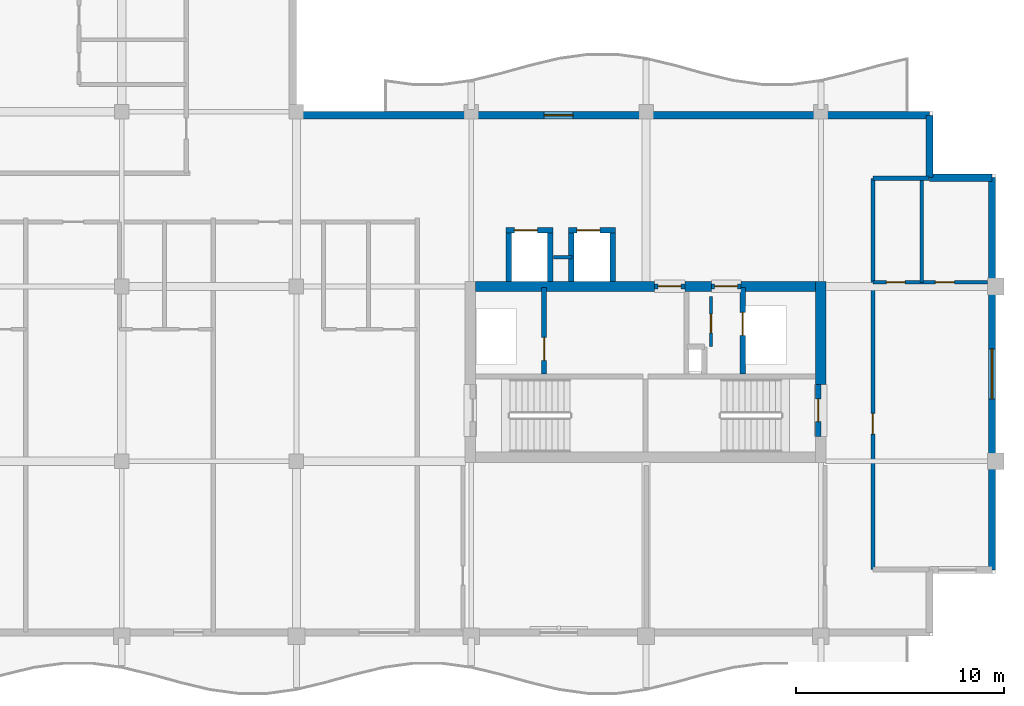
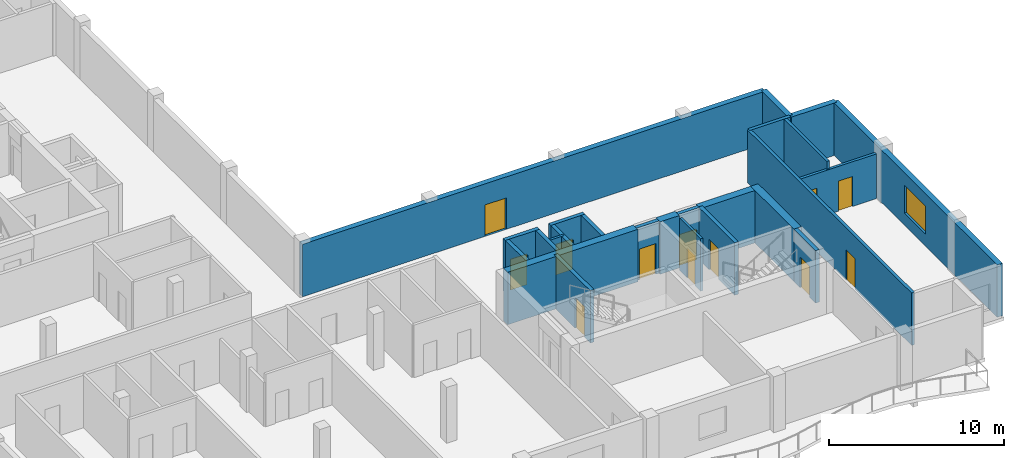
# One storey, part 4 of 10: 25 walls, 12 doors, 1 window, 13 openings.
"""IFC4 building model written with IfcOpenShell, lengths in metres."""

from ifc_helpers import new_model, si_unit, direction, frame, frame_2d, origin, place, context, subcontext, project, spatial, rectangle, extrude, material, layer, layer_set, type_object, element, fill, save


model = new_model("IFC4")

# Units and contexts
model_context = context("Model", 3, precision=1e-05, world=origin(), true_north=direction((0.0, 1.0)))
body_context = subcontext(model_context, "Body", "Model", "MODEL_VIEW")
ifc_project = project(units=[si_unit("LENGTHUNIT", "METRE"), si_unit("AREAUNIT", "SQUARE_METRE"), si_unit("VOLUMEUNIT", "CUBIC_METRE"), si_unit("PLANEANGLEUNIT", "RADIAN"), si_unit("MASSUNIT", "GRAM", prefix="KILO")], contexts=[model_context])

# Site, building, storey
site_placement = place(None, origin())
site = spatial("IfcSite", under=ifc_project, at=site_placement, CompositionType="ELEMENT")
building_placement = place(site_placement, origin())
building = spatial("IfcBuilding", under=site, at=building_placement, Name="Koriwani Terraces Tower", CompositionType="ELEMENT")
storey_placement = place(building_placement, frame((0.0, 0.0, 304.699951171875)))
storey = spatial("IfcBuildingStorey", under=building, at=storey_placement, Name="L75", CompositionType="ELEMENT", Elevation=304.699951171875)

# Walls
ifc_material_1 = material(Name="Concrete C50/60", Category="concrete")
ifc_layer_1 = layer(ifc_material_1, 0.5, Name="Concrete C50/60")
ifc_layer_set_1 = layer_set([ifc_layer_1], Name="Concrete C50/60")
wall_type_1 = type_object("IfcWallType", Name="WALL_CORE_RC_500", PredefinedType="SHEAR", material=ifc_layer_set_1)
wall_1_placement = place(storey_placement, frame((58.800048828125, 20.5, 0.0), z_axis=(0.0, 0.0, 1.0), x_axis=(0.0, 1.0, 0.0)))
element("IfcWall", 1, at=wall_1_placement, inside=storey, type_object=wall_type_1, Name="L75 East Split Core Shear Wall E2", PredefinedType="SHEAR", context=body_context, shape_type="SweptSolid", body=[
    extrude(rectangle(XDim=4.949951171875, YDim=0.5, at=frame_2d((2.47509765625, 0.0))), origin(), (0.0, 0.0, 1.0), 3.670166015625),
])
wall_2_placement = place(storey_placement, frame((42.199951171875, 25.199951171875, 0.0), z_axis=(0.0, 0.0, 1.0), x_axis=(1.0, 0.0, 0.0)))
element("IfcWall", 2, at=wall_2_placement, inside=storey, type_object=wall_type_1, Name="L75 East Split Core Shear Wall N1", PredefinedType="SHEAR", context=body_context, shape_type="SweptSolid", body=[
    extrude(rectangle(XDim=8.60009765625, YDim=0.5, at=frame_2d((4.300048828125, 0.0))), origin(), (0.0, 0.0, 1.0), 3.670166015625),
])
wall_3_placement = place(storey_placement, frame((52.280029296875, 25.199951171875, 0.0), z_axis=(0.0, 0.0, 1.0), x_axis=(1.0, 0.0, 0.0)))
element("IfcWall", 3, at=wall_3_placement, inside=storey, type_object=wall_type_1, Name="L75 East Split Core Shear Wall N2", PredefinedType="SHEAR", context=body_context, shape_type="SweptSolid", body=[
    extrude(rectangle(XDim=1.27001953125, YDim=0.5, at=frame_2d((0.635009765625, 0.0))), origin(), (0.0, 0.0, 1.0), 3.670166015625),
])
wall_4_placement = place(storey_placement, frame((54.949951171875, 25.199951171875, 0.0), z_axis=(0.0, 0.0, 1.0), x_axis=(1.0, 0.0, 0.0)))
element("IfcWall", 4, at=wall_4_placement, inside=storey, type_object=wall_type_1, Name="L75 East Split Core Shear Wall N3", PredefinedType="SHEAR", context=body_context, shape_type="SweptSolid", body=[
    extrude(rectangle(XDim=3.60009765625, YDim=0.5, at=frame_2d((1.800048828125, 0.0))), origin(), (0.0, 0.0, 1.0), 3.670166015625),
])

# Wall, opening, door
ifc_material_2 = material(Name="Autoclaved Cellular Concrete Blockwork", Category="masonry")
ifc_layer_2 = layer(ifc_material_2, 0.199951171875, Name="Autoclaved Cellular Concrete Blockwork")
ifc_layer_set_2 = layer_set([ifc_layer_2], Name="Autoclaved Cellular Concrete Blockwork")
wall_type_2 = type_object("IfcWallType", Name="WALL_CORRIDOR_200", PredefinedType="PARTITIONING", material=ifc_layer_set_2)
wall_5_placement = place(storey_placement, frame((61.300048828125, 11.60009765625, 0.0), z_axis=(0.0, 0.0, 1.0), x_axis=(0.0, 1.0, 0.0)))
wall_5 = element("IfcWall", 5, at=wall_5_placement, inside=storey, type_object=wall_type_2, Name="L75 Interior Wall WET-W-L75", PredefinedType="PARTITIONING", context=body_context, shape_type="SweptSolid", body=[
    extrude(rectangle(XDim=18.7998046875, YDim=0.199951171875, at=frame_2d((9.39990234375, 0.0))), origin(), (0.0, 0.0, 1.0), 3.670166015625),
])
opening_1_placement = place(wall_5_placement, frame((6.5, 0.0, 0.0)))
opening_1 = element("IfcOpeningElement", 6, at=opening_1_placement, cuts=wall_5, Name="Opening D-05", PredefinedType="OPENING", context=body_context, shape_type="SweptSolid", body=[
    extrude(rectangle(XDim=1.0, YDim=2.14990234375, at=frame_2d((0.5, 1.074951171875))), frame((0.0, 0.10986328125, 0.0), z_axis=(0.0, -1.0, 0.0), x_axis=(1.0, 0.0, 0.0)), (0.0, 0.0, 1.0), 0.219970703125),
])
ifc_material_3 = material(Name="Architectural Oak Fire Door", Category="wood")
door_type_1 = type_object("IfcDoorType", Name="DOOR_SUITE_ENTRY_1000X2150", OperationType="NOTDEFINED", PredefinedType="DOOR", material=ifc_material_3)
door_1_placement = place(opening_1_placement, origin())
door_1 = element("IfcDoor", 7, at=door_1_placement, inside=storey, type_object=door_type_1, Name="Apartment 75ET Entrance Door", OperationType="SINGLE_SWING_LEFT", OverallHeight=2.14990234375, OverallWidth=1.0, PredefinedType="DOOR", context=body_context, shape_type="SweptSolid", body=[
    extrude(rectangle(XDim=1.0, YDim=2.14990234375, at=frame_2d((0.5, 1.074951171875))), frame((0.0, 0.02490234375, 0.0), z_axis=(0.0, -1.0, 0.0), x_axis=(1.0, 0.0, 0.0)), (0.0, 0.0, 1.0), 0.050048828125),
])
fill(opening_1, door_1)

# Wall
ifc_layer_3 = layer(ifc_material_2, 0.219970703125, Name="Autoclaved Cellular Concrete Blockwork")
ifc_layer_set_3 = layer_set([ifc_layer_3], Name="Autoclaved Cellular Concrete Blockwork")
wall_type_3 = type_object("IfcWallType", Name="WALL_DEMISING_220", PredefinedType="PARTITIONING", material=ifc_layer_set_3)
wall_6_placement = place(storey_placement, frame((61.300048828125, 30.39990234375, 0.0), z_axis=(0.0, 0.0, 1.0), x_axis=(1.0, 0.0, 0.0)))
element("IfcWall", 8, at=wall_6_placement, inside=storey, type_object=wall_type_3, Name="L75 Interior Wall WET-N-L75", PredefinedType="PARTITIONING", context=body_context, shape_type="SweptSolid", body=[
    extrude(rectangle(XDim=2.699951171875, YDim=0.219970703125, at=frame_2d((1.35009765625, 0.0))), origin(), (0.0, 0.0, 1.0), 3.670166015625),
])

# Wall, opening, door
ifc_layer_4 = layer(ifc_material_1, 0.35009765625, Name="Concrete C50/60")
ifc_layer_set_4 = layer_set([ifc_layer_4], Name="Concrete C50/60")
wall_type_4 = type_object("IfcWallType", Name="WALL_EXT_BRUTALIST_350", PredefinedType="STANDARD", material=ifc_layer_set_4)
wall_7_placement = place(storey_placement, frame((33.425048828125, 33.425048828125, 0.0), z_axis=(0.0, 0.0, 1.0), x_axis=(1.0, 0.0, 0.0)))
wall_7 = element("IfcWall", 9, at=wall_7_placement, inside=storey, type_object=wall_type_4, Name="L75 Fair-Faced Brutalist Exterior Wall (NE)", PredefinedType="STANDARD", context=body_context, shape_type="SweptSolid", body=[
    extrude(rectangle(XDim=30.599853515625, YDim=0.35009765625, at=frame_2d((15.2998046875, 0.0))), origin(), (0.0, 0.0, 1.0), 3.670166015625),
])
opening_2_placement = place(wall_7_placement, frame((12.074951171875, 0.0, 0.0)))
opening_2 = element("IfcOpeningElement", 10, at=opening_2_placement, cuts=wall_7, Name="Opening D-09", PredefinedType="OPENING", context=body_context, shape_type="SweptSolid", body=[
    extrude(rectangle(XDim=1.39990234375, YDim=2.199951171875, at=frame_2d((0.699951171875, 1.10009765625))), frame((0.0, 0.18505859375, 0.0), z_axis=(0.0, -1.0, 0.0), x_axis=(1.0, 0.0, 0.0)), (0.0, 0.0, 1.0), 0.3701171875),
])
ifc_material_4 = material(Name="Anodised Bronze Aluminium", Category="aluminium")
door_type_2 = type_object("IfcDoorType", Name="DOOR_BALCONY_GLAZED_1400X2200", OperationType="NOTDEFINED", PredefinedType="DOOR", material=ifc_material_4)
door_2_placement = place(opening_2_placement, origin())
door_2 = element("IfcDoor", 11, at=door_2_placement, inside=storey, type_object=door_type_2, Name="L75 Inner Court Balcony Glazed Door", OperationType="SINGLE_SWING_LEFT", OverallHeight=2.199951171875, OverallWidth=1.39990234375, PredefinedType="DOOR", context=body_context, shape_type="SweptSolid", body=[
    extrude(rectangle(XDim=1.39990234375, YDim=2.199951171875, at=frame_2d((0.699951171875, 1.10009765625))), frame((0.0, 0.02490234375, 0.0), z_axis=(0.0, -1.0, 0.0), x_axis=(1.0, 0.0, 0.0)), (0.0, 0.0, 1.0), 0.050048828125),
])
fill(opening_2, door_2)

# Walls
for number, where, z_axis, x_axis, name in (
    (12, (64.02490234375, 33.425048828125, 0.0), (0.0, 0.0, 1.0), (0.0, -1.0, 0.0), "L75 Fair-Faced Brutalist Exterior Wall (N10)"),
    (13, (64.02490234375, 30.425048828125, 0.0), (0.0, 0.0, 1.0), (1.0, 0.0, 0.0), "L75 Fair-Faced Brutalist Exterior Wall (N11)"),
):
    element("IfcWall", number, at=place(storey_placement, frame(where, z_axis=z_axis, x_axis=x_axis)), inside=storey, type_object=wall_type_4, Name=name, PredefinedType="STANDARD", context=body_context, shape_type="SweptSolid", body=[
        extrude(rectangle(XDim=3.0, YDim=0.35009765625, at=frame_2d((1.5, 0.0))), origin(), (0.0, 0.0, 1.0), 3.670166015625),
    ])

# Wall, opening, window
wall_8_placement = place(storey_placement, frame((67.02490234375, 30.425048828125, 0.0), z_axis=(0.0, 0.0, 1.0), x_axis=(0.0, -1.0, 0.0)))
wall_8 = element("IfcWall", 14, at=wall_8_placement, inside=storey, type_object=wall_type_4, Name="L75 Fair-Faced Brutalist Exterior Wall (E_TIP)", PredefinedType="STANDARD", context=body_context, shape_type="SweptSolid", body=[
    extrude(rectangle(XDim=18.85009765625, YDim=0.35009765625, at=frame_2d((9.425048828125, 0.0))), origin(), (0.0, 0.0, 1.0), 3.670166015625),
])
opening_3_placement = place(wall_8_placement, frame((8.22509765625, 0.0, 0.85009765625)))
opening_3 = element("IfcOpeningElement", 15, at=opening_3_placement, cuts=wall_8, Name="Opening W-03", PredefinedType="OPENING", context=body_context, shape_type="SweptSolid", body=[
    extrude(rectangle(XDim=2.39990234375, YDim=1.949951171875, at=frame_2d((1.199951171875, 0.97509765625))), frame((0.0, 0.18505859375, 0.0), z_axis=(0.0, -1.0, 0.0), x_axis=(1.0, 0.0, 0.0)), (0.0, 0.0, 1.0), 0.3701171875),
])
ifc_material_5 = material(Name="Tempered Laminated Low-E Glass", Category="glass")
window_type = type_object("IfcWindowType", Name="WIN_RES_LIVING_2400X1950", PartitioningType="DOUBLE_PANEL_VERTICAL", PredefinedType="WINDOW", material=ifc_material_5)
window_placement = place(opening_3_placement, origin())
window = element("IfcWindow", 16, at=window_placement, inside=storey, type_object=window_type, Name="L75 Exterior Window (E_TIP-3)", OverallHeight=1.949951171875, OverallWidth=2.39990234375, PartitioningType="SINGLE_PANEL", PredefinedType="WINDOW", context=body_context, shape_type="SweptSolid", body=[
    extrude(rectangle(XDim=2.39990234375, YDim=1.949951171875, at=frame_2d((1.199951171875, 0.97509765625))), frame((0.0, 0.030029296875, 0.0), z_axis=(0.0, -1.0, 0.0), x_axis=(1.0, 0.0, 0.0)), (0.0, 0.0, 1.0), 0.06005859375),
])
fill(opening_3, window)

# Wall, openings, doors
ifc_material_6 = material(Name="Fire-Rated Acoustic Gypsum Partition", Category="masonry")
ifc_layer_5 = layer(ifc_material_6, 0.179931640625, Name="Fire-Rated Acoustic Gypsum Partition")
ifc_layer_set_5 = layer_set([ifc_layer_5], Name="Fire-Rated Acoustic Gypsum Partition")
wall_type_5 = type_object("IfcWallType", Name="WALL_PLUMBING_180", PredefinedType="PLUMBINGWALL", material=ifc_layer_set_5)
wall_9_placement = place(storey_placement, frame((61.300048828125, 25.39990234375, 0.0), z_axis=(0.0, 0.0, 1.0), x_axis=(1.0, 0.0, 0.0)))
wall_9 = element("IfcWall", 17, at=wall_9_placement, inside=storey, type_object=wall_type_5, Name="L75 Interior Wall WET-SVB-L75", PredefinedType="PLUMBINGWALL", context=body_context, shape_type="SweptSolid", body=[
    extrude(rectangle(XDim=5.5, YDim=0.179931640625, at=frame_2d((2.75, 0.0))), origin(), (0.0, 0.0, 1.0), 3.126953125),
])
opening_4_placement = place(wall_9_placement, frame((0.64990234375, 0.0, 0.0)))
opening_4 = element("IfcOpeningElement", 18, at=opening_4_placement, cuts=wall_9, Name="Opening D-07", PredefinedType="OPENING", context=body_context, shape_type="SweptSolid", body=[
    extrude(rectangle(XDim=0.89990234375, YDim=2.10009765625, at=frame_2d((0.449951171875, 1.050048828125))), frame((0.0, 0.10009765625, 0.0), z_axis=(0.0, -1.0, 0.0), x_axis=(1.0, 0.0, 0.0)), (0.0, 0.0, 1.0), 0.199951171875),
])
opening_5_placement = place(wall_9_placement, frame((3.0, 0.0, 0.0)))
opening_5 = element("IfcOpeningElement", 19, at=opening_5_placement, cuts=wall_9, Name="Opening D-06", PredefinedType="OPENING", context=body_context, shape_type="SweptSolid", body=[
    extrude(rectangle(XDim=0.919921875, YDim=2.10009765625, at=frame_2d((0.4599609375, 1.050048828125))), frame((0.0, 0.10009765625, 0.0), z_axis=(0.0, -1.0, 0.0), x_axis=(1.0, 0.0, 0.0)), (0.0, 0.0, 1.0), 0.199951171875),
])
door_type_3 = type_object("IfcDoorType", Name="DOOR_BATH_INT_900X2100", OperationType="NOTDEFINED", PredefinedType="DOOR", material=ifc_material_3)
door_3_placement = place(opening_4_placement, origin())
door_3 = element("IfcDoor", 20, at=door_3_placement, inside=storey, type_object=door_type_3, Name="Apartment 75ET Bathroom Door", OperationType="SINGLE_SWING_RIGHT", OverallHeight=2.10009765625, OverallWidth=0.89990234375, PredefinedType="DOOR", context=body_context, shape_type="SweptSolid", body=[
    extrude(rectangle(XDim=0.89990234375, YDim=2.10009765625, at=frame_2d((0.449951171875, 1.050048828125))), frame((0.0, 0.02490234375, 0.0), z_axis=(0.0, -1.0, 0.0), x_axis=(1.0, 0.0, 0.0)), (0.0, 0.0, 1.0), 0.050048828125),
])
fill(opening_4, door_3)
door_type_4 = type_object("IfcDoorType", Name="DOOR_ROOM_INT_920X2100", OperationType="NOTDEFINED", PredefinedType="DOOR", material=ifc_material_3)
door_4_placement = place(opening_5_placement, origin())
door_4 = element("IfcDoor", 21, at=door_4_placement, inside=storey, type_object=door_type_4, Name="Apartment 75ET Kitchen Door", OperationType="SINGLE_SWING_LEFT", OverallHeight=2.10009765625, OverallWidth=0.919921875, PredefinedType="DOOR", context=body_context, shape_type="SweptSolid", body=[
    extrude(rectangle(XDim=0.919921875, YDim=2.10009765625, at=frame_2d((0.4599609375, 1.050048828125))), frame((0.0, 0.02490234375, 0.0), z_axis=(0.0, -1.0, 0.0), x_axis=(1.0, 0.0, 0.0)), (0.0, 0.0, 1.0), 0.050048828125),
])
fill(opening_5, door_4)

# Wall
wall_10_placement = place(storey_placement, frame((63.64990234375, 25.39990234375, 0.0), z_axis=(0.0, 0.0, 1.0), x_axis=(0.0, 1.0, 0.0)))
element("IfcWall", 22, at=wall_10_placement, inside=storey, type_object=wall_type_5, Name="L75 Interior Wall WET-SVCM-L75", PredefinedType="PLUMBINGWALL", context=body_context, shape_type="SweptSolid", body=[
    extrude(rectangle(XDim=5.0, YDim=0.179931640625, at=frame_2d((2.5, 0.0))), origin(), (0.0, 0.0, 1.0), 3.670166015625),
])

# Wall, opening, door
ifc_material_7 = material(Name="Concrete C40/50", Category="concrete")
ifc_layer_6 = layer(ifc_material_7, 0.25, Name="Concrete C40/50")
ifc_layer_set_6 = layer_set([ifc_layer_6], Name="Concrete C40/50")
wall_type_6 = type_object("IfcWallType", Name="WALL_SHAFT_RATED_250", PredefinedType="SOLIDWALL", material=ifc_layer_set_6)
wall_11_placement = place(storey_placement, frame((58.675048828125, 18.0, 0.0), z_axis=(0.0, 0.0, 1.0), x_axis=(0.0, 1.0, 0.0)))
wall_11 = element("IfcWall", 23, at=wall_11_placement, inside=storey, type_object=wall_type_6, Name="L75 Interior Wall WIN-CE-L75-STE", PredefinedType="SOLIDWALL", context=body_context, shape_type="SweptSolid", body=[
    extrude(rectangle(XDim=2.5, YDim=0.25, at=frame_2d((1.25, 0.0))), origin(), (0.0, 0.0, 1.0), 3.670166015625),
])
opening_6_placement = place(wall_11_placement, frame((0.699951171875, 0.0, 0.0)))
opening_6 = element("IfcOpeningElement", 24, at=opening_6_placement, cuts=wall_11, Name="Opening D-03", PredefinedType="OPENING", context=body_context, shape_type="SweptSolid", body=[
    extrude(rectangle(XDim=1.10009765625, YDim=2.14990234375, at=frame_2d((0.550048828125, 1.074951171875))), frame((0.0, 0.135009765625, 0.0), z_axis=(0.0, -1.0, 0.0), x_axis=(1.0, 0.0, 0.0)), (0.0, 0.0, 1.0), 0.27001953125),
])
ifc_material_8 = material(Name="Steel ASTM A572 Grade 50", Category="steel")
door_type_5 = type_object("IfcDoorType", Name="DOOR_STAIR_FIRE_1100X2150", OperationType="NOTDEFINED", PredefinedType="DOOR", material=ifc_material_8)
door_5_placement = place(opening_6_placement, origin())
door_5 = element("IfcDoor", 25, at=door_5_placement, inside=storey, type_object=door_type_5, Name="L75 Exit Stair ST-E2 Door", OperationType="SINGLE_SWING_LEFT", OverallHeight=2.14990234375, OverallWidth=1.10009765625, PredefinedType="DOOR", context=body_context, shape_type="SweptSolid", body=[
    extrude(rectangle(XDim=1.10009765625, YDim=2.14990234375, at=frame_2d((0.550048828125, 1.074951171875))), frame((0.0, 0.02490234375, 0.0), z_axis=(0.0, -1.0, 0.0), x_axis=(1.0, 0.0, 0.0)), (0.0, 0.0, 1.0), 0.050048828125),
])
fill(opening_6, door_5)

wall_12_placement = place(storey_placement, frame((45.5, 21.0, 0.0), z_axis=(0.0, 0.0, 1.0), x_axis=(0.0, 1.0, 0.0)))
wall_12 = element("IfcWall", 26, at=wall_12_placement, inside=storey, type_object=wall_type_6, Name="L75 Interior Wall WIN-CE-L75-FE", PredefinedType="SOLIDWALL", context=body_context, shape_type="SweptSolid", body=[
    extrude(rectangle(XDim=4.14990234375, YDim=0.25, at=frame_2d((2.074951171875, 0.0))), origin(), (0.0, 0.0, 1.0), 3.670166015625),
])
opening_7_placement = place(wall_12_placement, frame((0.64990234375, 0.0, 0.0)))
opening_7 = element("IfcOpeningElement", 27, at=opening_7_placement, cuts=wall_12, Name="Opening LD-01", PredefinedType="OPENING", context=body_context, shape_type="SweptSolid", body=[
    extrude(rectangle(XDim=1.10009765625, YDim=2.14990234375, at=frame_2d((0.550048828125, 1.074951171875))), frame((0.0, 0.135009765625, 0.0), z_axis=(0.0, -1.0, 0.0), x_axis=(1.0, 0.0, 0.0)), (0.0, 0.0, 1.0), 0.27001953125),
])
door_type_6 = type_object("IfcDoorType", Name="DOOR_LIFT_LANDING_1100X2200", OperationType="NOTDEFINED", PredefinedType="DOOR", material=ifc_material_8)
door_6_placement = place(opening_7_placement, origin())
door_6 = element("IfcDoor", 28, at=door_6_placement, inside=storey, type_object=door_type_6, Name="L75 Firefighting Lift FE-02 Landing Door", OperationType="SLIDING_TO_LEFT", OverallHeight=2.14990234375, OverallWidth=1.10009765625, PredefinedType="DOOR", context=body_context, shape_type="SweptSolid", body=[
    extrude(rectangle(XDim=1.10009765625, YDim=2.14990234375, at=frame_2d((0.550048828125, 1.074951171875))), frame((0.0, 0.02490234375, 0.0), z_axis=(0.0, -1.0, 0.0), x_axis=(1.0, 0.0, 0.0)), (0.0, 0.0, 1.0), 0.050048828125),
])
fill(opening_7, door_6)

wall_13_placement = place(storey_placement, frame((50.800048828125, 25.199951171875, 0.0), z_axis=(0.0, 0.0, 1.0), x_axis=(1.0, 0.0, 0.0)))
wall_13 = element("IfcWall", 29, at=wall_13_placement, inside=storey, type_object=wall_type_6, Name="L75 Interior Wall WIN-CE-L75-NP", PredefinedType="SOLIDWALL", context=body_context, shape_type="SweptSolid", body=[
    extrude(rectangle(XDim=1.47998046875, YDim=0.25, at=frame_2d((0.739990234375, 0.0))), origin(), (0.0, 0.0, 1.0), 3.670166015625),
])
opening_8_placement = place(wall_13_placement, frame((0.179931640625, 0.0, 0.0)))
opening_8 = element("IfcOpeningElement", 30, at=opening_8_placement, cuts=wall_13, Name="Opening D-03", PredefinedType="OPENING", context=body_context, shape_type="SweptSolid", body=[
    extrude(rectangle(XDim=1.10009765625, YDim=2.14990234375, at=frame_2d((0.550048828125, 1.074951171875))), frame((0.0, 0.135009765625, 0.0), z_axis=(0.0, -1.0, 0.0), x_axis=(1.0, 0.0, 0.0)), (0.0, 0.0, 1.0), 0.27001953125),
])
door_7_placement = place(opening_8_placement, origin())
door_7 = element("IfcDoor", 31, at=door_7_placement, inside=storey, type_object=door_type_5, Name="L75 East Firefighting Lobby Door", OperationType="SINGLE_SWING_RIGHT", OverallHeight=2.14990234375, OverallWidth=1.10009765625, PredefinedType="DOOR", context=body_context, shape_type="SweptSolid", body=[
    extrude(rectangle(XDim=1.10009765625, YDim=2.14990234375, at=frame_2d((0.550048828125, 1.074951171875))), frame((0.0, 0.02490234375, 0.0), z_axis=(0.0, -1.0, 0.0), x_axis=(1.0, 0.0, 0.0)), (0.0, 0.0, 1.0), 0.050048828125),
])
fill(opening_8, door_7)

wall_14_placement = place(storey_placement, frame((55.050048828125, 21.0, 0.0), z_axis=(0.0, 0.0, 1.0), x_axis=(0.0, 1.0, 0.0)))
wall_14 = element("IfcWall", 32, at=wall_14_placement, inside=storey, type_object=wall_type_6, Name="L75 Interior Wall WIN-CE-L75-SE", PredefinedType="SOLIDWALL", context=body_context, shape_type="SweptSolid", body=[
    extrude(rectangle(XDim=4.14990234375, YDim=0.25, at=frame_2d((2.074951171875, 0.0))), origin(), (0.0, 0.0, 1.0), 3.670166015625),
])
opening_9_placement = place(wall_14_placement, frame((1.85009765625, 0.0, 0.0)))
opening_9 = element("IfcOpeningElement", 33, at=opening_9_placement, cuts=wall_14, Name="Opening LD-01", PredefinedType="OPENING", context=body_context, shape_type="SweptSolid", body=[
    extrude(rectangle(XDim=1.10009765625, YDim=2.14990234375, at=frame_2d((0.550048828125, 1.074951171875))), frame((0.0, 0.135009765625, 0.0), z_axis=(0.0, -1.0, 0.0), x_axis=(1.0, 0.0, 0.0)), (0.0, 0.0, 1.0), 0.27001953125),
])
door_8_placement = place(opening_9_placement, origin())
door_8 = element("IfcDoor", 34, at=door_8_placement, inside=storey, type_object=door_type_6, Name="L75 Goods Lift SE-02 Landing Door", OperationType="SLIDING_TO_LEFT", OverallHeight=2.14990234375, OverallWidth=1.10009765625, PredefinedType="DOOR", context=body_context, shape_type="SweptSolid", body=[
    extrude(rectangle(XDim=1.10009765625, YDim=2.14990234375, at=frame_2d((0.550048828125, 1.074951171875))), frame((0.0, 0.02490234375, 0.0), z_axis=(0.0, -1.0, 0.0), x_axis=(1.0, 0.0, 0.0)), (0.0, 0.0, 1.0), 0.050048828125),
])
fill(opening_9, door_8)

wall_15_placement = place(storey_placement, frame((53.550048828125, 25.199951171875, 0.0), z_axis=(0.0, 0.0, 1.0), x_axis=(1.0, 0.0, 0.0)))
wall_15 = element("IfcWall", 35, at=wall_15_placement, inside=storey, type_object=wall_type_6, Name="L75 Interior Wall WIN-CE-L75-NP2", PredefinedType="SOLIDWALL", context=body_context, shape_type="SweptSolid", body=[
    extrude(rectangle(XDim=1.39990234375, YDim=0.25, at=frame_2d((0.699951171875, 0.0))), origin(), (0.0, 0.0, 1.0), 3.670166015625),
])
opening_10_placement = place(wall_15_placement, frame((0.14990234375, 0.0, 0.0)))
opening_10 = element("IfcOpeningElement", 36, at=opening_10_placement, cuts=wall_15, Name="Opening D-03", PredefinedType="OPENING", context=body_context, shape_type="SweptSolid", body=[
    extrude(rectangle(XDim=1.10009765625, YDim=2.14990234375, at=frame_2d((0.550048828125, 1.074951171875))), frame((0.0, 0.135009765625, 0.0), z_axis=(0.0, -1.0, 0.0), x_axis=(1.0, 0.0, 0.0)), (0.0, 0.0, 1.0), 0.27001953125),
])
door_9_placement = place(opening_10_placement, origin())
door_9 = element("IfcDoor", 37, at=door_9_placement, inside=storey, type_object=door_type_5, Name="L75 East Goods Lift Lobby Door", OperationType="SINGLE_SWING_LEFT", OverallHeight=2.14990234375, OverallWidth=1.10009765625, PredefinedType="DOOR", context=body_context, shape_type="SweptSolid", body=[
    extrude(rectangle(XDim=1.10009765625, YDim=2.14990234375, at=frame_2d((0.550048828125, 1.074951171875))), frame((0.0, 0.02490234375, 0.0), z_axis=(0.0, -1.0, 0.0), x_axis=(1.0, 0.0, 0.0)), (0.0, 0.0, 1.0), 0.050048828125),
])
fill(opening_10, door_9)

wall_16_placement = place(storey_placement, frame((43.675048828125, 27.89990234375, 0.0), z_axis=(0.0, 0.0, 1.0), x_axis=(1.0, 0.0, 0.0)))
wall_16 = element("IfcWall", 38, at=wall_16_placement, inside=storey, type_object=wall_type_6, Name="L75 Interior Wall WIN-LF-PE-H3-L75-F", PredefinedType="SOLIDWALL", context=body_context, shape_type="SweptSolid", body=[
    extrude(rectangle(XDim=2.25, YDim=0.25, at=frame_2d((1.125, 0.0))), origin(), (0.0, 0.0, 1.0), 3.670166015625),
])
opening_11_placement = place(wall_16_placement, frame((0.39990234375, 0.0, 0.0)))
opening_11 = element("IfcOpeningElement", 39, at=opening_11_placement, cuts=wall_16, Name="Opening LD-01", PredefinedType="OPENING", context=body_context, shape_type="SweptSolid", body=[
    extrude(rectangle(XDim=1.10009765625, YDim=2.14990234375, at=frame_2d((0.550048828125, 1.074951171875))), frame((0.0, 0.135009765625, 0.0), z_axis=(0.0, -1.0, 0.0), x_axis=(1.0, 0.0, 0.0)), (0.0, 0.0, 1.0), 0.27001953125),
])
door_10_placement = place(opening_11_placement, origin())
door_10 = element("IfcDoor", 40, at=door_10_placement, inside=storey, type_object=door_type_6, Name="L75 Passenger Lift PE-H3 Landing Door", OperationType="SLIDING_TO_LEFT", OverallHeight=2.14990234375, OverallWidth=1.10009765625, PredefinedType="DOOR", context=body_context, shape_type="SweptSolid", body=[
    extrude(rectangle(XDim=1.10009765625, YDim=2.14990234375, at=frame_2d((0.550048828125, 1.074951171875))), frame((0.0, 0.02490234375, 0.0), z_axis=(0.0, -1.0, 0.0), x_axis=(1.0, 0.0, 0.0)), (0.0, 0.0, 1.0), 0.050048828125),
])
fill(opening_11, door_10)

# Walls
for number, where, z_axis, x_axis, name in (
    (41, (43.800048828125, 25.449951171875, 0.0), (0.0, 0.0, 1.0), (0.0, 1.0, 0.0), "L75 Interior Wall WIN-LF-PE-H3-L75-W"),
    (42, (45.800048828125, 25.449951171875, 0.0), (0.0, 0.0, 1.0), (0.0, 1.0, 0.0), "L75 Interior Wall WIN-LF-PE-H3-L75-E"),
):
    element("IfcWall", number, at=place(storey_placement, frame(where, z_axis=z_axis, x_axis=x_axis)), inside=storey, type_object=wall_type_6, Name=name, PredefinedType="SOLIDWALL", context=body_context, shape_type="SweptSolid", body=[
        extrude(rectangle(XDim=2.324951171875, YDim=0.25, at=frame_2d((1.16259765625, 0.0))), origin(), (0.0, 0.0, 1.0), 3.670166015625),
    ])

# Wall, opening, door
wall_17_placement = place(storey_placement, frame((46.675048828125, 27.89990234375, 0.0), z_axis=(0.0, 0.0, 1.0), x_axis=(1.0, 0.0, 0.0)))
wall_17 = element("IfcWall", 43, at=wall_17_placement, inside=storey, type_object=wall_type_6, Name="L75 Interior Wall WIN-LF-PE-H4-L75-F", PredefinedType="SOLIDWALL", context=body_context, shape_type="SweptSolid", body=[
    extrude(rectangle(XDim=2.25, YDim=0.25, at=frame_2d((1.125, 0.0))), origin(), (0.0, 0.0, 1.0), 3.670166015625),
])
opening_12_placement = place(wall_17_placement, frame((0.39990234375, 0.0, 0.0)))
opening_12 = element("IfcOpeningElement", 44, at=opening_12_placement, cuts=wall_17, Name="Opening LD-01", PredefinedType="OPENING", context=body_context, shape_type="SweptSolid", body=[
    extrude(rectangle(XDim=1.10009765625, YDim=2.14990234375, at=frame_2d((0.550048828125, 1.074951171875))), frame((0.0, 0.135009765625, 0.0), z_axis=(0.0, -1.0, 0.0), x_axis=(1.0, 0.0, 0.0)), (0.0, 0.0, 1.0), 0.27001953125),
])
door_11_placement = place(opening_12_placement, origin())
door_11 = element("IfcDoor", 45, at=door_11_placement, inside=storey, type_object=door_type_6, Name="L75 Passenger Lift PE-H4 Landing Door", OperationType="SLIDING_TO_LEFT", OverallHeight=2.14990234375, OverallWidth=1.10009765625, PredefinedType="DOOR", context=body_context, shape_type="SweptSolid", body=[
    extrude(rectangle(XDim=1.10009765625, YDim=2.14990234375, at=frame_2d((0.550048828125, 1.074951171875))), frame((0.0, 0.02490234375, 0.0), z_axis=(0.0, -1.0, 0.0), x_axis=(1.0, 0.0, 0.0)), (0.0, 0.0, 1.0), 0.050048828125),
])
fill(opening_12, door_11)

# Walls
for number, where, z_axis, x_axis, name in (
    (46, (46.800048828125, 25.449951171875, 0.0), (0.0, 0.0, 1.0), (0.0, 1.0, 0.0), "L75 Interior Wall WIN-LF-PE-H4-L75-W"),
    (47, (48.800048828125, 25.449951171875, 0.0), (0.0, 0.0, 1.0), (0.0, 1.0, 0.0), "L75 Interior Wall WIN-LF-PE-H4-L75-E"),
):
    element("IfcWall", number, at=place(storey_placement, frame(where, z_axis=z_axis, x_axis=x_axis)), inside=storey, type_object=wall_type_6, Name=name, PredefinedType="SOLIDWALL", context=body_context, shape_type="SweptSolid", body=[
        extrude(rectangle(XDim=2.324951171875, YDim=0.25, at=frame_2d((1.16259765625, 0.0))), origin(), (0.0, 0.0, 1.0), 3.670166015625),
    ])

# Wall, opening, door
ifc_layer_7 = layer(ifc_material_6, 0.159912109375, Name="Fire-Rated Acoustic Gypsum Partition")
ifc_layer_set_7 = layer_set([ifc_layer_7], Name="Fire-Rated Acoustic Gypsum Partition")
wall_type_7 = type_object("IfcWallType", Name="WALL_SUITE_160", PredefinedType="PARTITIONING", material=ifc_layer_set_7)
wall_18_placement = place(storey_placement, frame((53.52001953125, 22.320068359375, 0.0), z_axis=(0.0, 0.0, 1.0), x_axis=(0.0, 1.0, 0.0)))
wall_18 = element("IfcWall", 48, at=wall_18_placement, inside=storey, type_object=wall_type_7, Name="L75 Interior Wall WIN-CE-L75-SV0", PredefinedType="PARTITIONING", context=body_context, shape_type="SweptSolid", body=[
    extrude(rectangle(XDim=2.39990234375, YDim=0.159912109375, at=frame_2d((1.199951171875, 0.0))), origin(), (0.0, 0.0, 1.0), 3.670166015625),
])
opening_13_placement = place(wall_18_placement, frame((0.64990234375, 0.0, 0.0)))
opening_13 = element("IfcOpeningElement", 49, at=opening_13_placement, cuts=wall_18, Name="Opening D-07", PredefinedType="OPENING", context=body_context, shape_type="SweptSolid", body=[
    extrude(rectangle(XDim=0.89990234375, YDim=2.10009765625, at=frame_2d((0.449951171875, 1.050048828125))), frame((0.0, 0.08984375, 0.0), z_axis=(0.0, -1.0, 0.0), x_axis=(1.0, 0.0, 0.0)), (0.0, 0.0, 1.0), 0.179931640625),
])
door_12_placement = place(opening_13_placement, origin())
door_12 = element("IfcDoor", 50, at=door_12_placement, inside=storey, type_object=door_type_3, Name="L75 East Electrical Switch Room Door", OperationType="SINGLE_SWING_RIGHT", OverallHeight=2.10009765625, OverallWidth=0.89990234375, PredefinedType="DOOR", context=body_context, shape_type="SweptSolid", body=[
    extrude(rectangle(XDim=0.89990234375, YDim=2.10009765625, at=frame_2d((0.449951171875, 1.050048828125))), frame((0.0, 0.02490234375, 0.0), z_axis=(0.0, -1.0, 0.0), x_axis=(1.0, 0.0, 0.0)), (0.0, 0.0, 1.0), 0.050048828125),
])
fill(opening_13, door_12)

# Wall
wall_19_placement = place(storey_placement, frame((45.9599609375, 26.60009765625, 0.0), z_axis=(0.0, 0.0, 1.0), x_axis=(1.0, 0.0, 0.0)))
element("IfcWall", 51, at=wall_19_placement, inside=storey, type_object=wall_type_7, Name="L75 Interior Wall WIN-LF-PEH34-MID-L75", PredefinedType="PARTITIONING", context=body_context, shape_type="SweptSolid", body=[
    extrude(rectangle(XDim=0.880126953125, YDim=0.159912109375, at=frame_2d((0.43994140625, 0.0))), origin(), (0.0, 0.0, 1.0), 3.670166015625),
])

save(model, "model.ifc")
